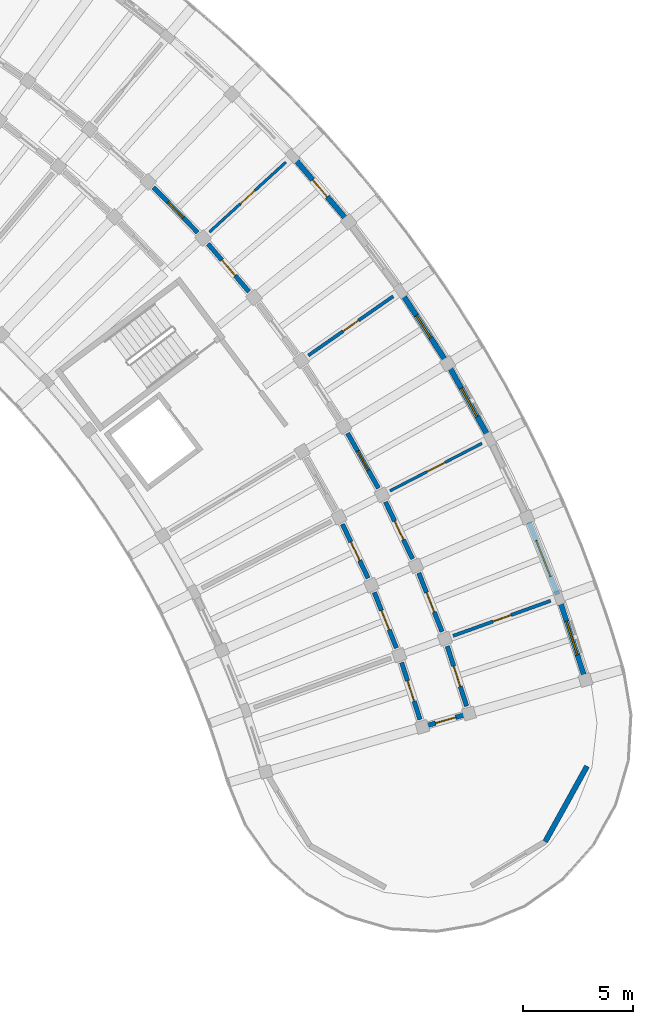
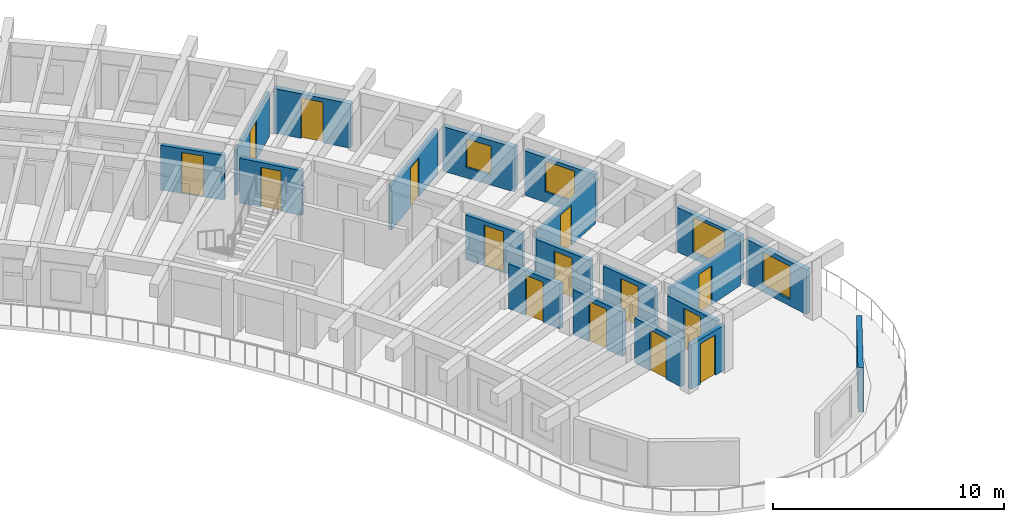
# One storey, part 44 of 69: 20 walls, 15 doors, 4 windows, 19 openings.
"""IFC4 building model written with IfcOpenShell, lengths in metres."""

from ifc_helpers import new_model, si_unit, direction, frame, frame_2d, origin, place, context, subcontext, project, spatial, rectangle, extrude, material, layer, layer_set, type_object, element, fill, save


model = new_model("IFC4")

# Units and contexts
model_context = context("Model", 3, precision=1e-05, world=origin(), true_north=direction((0.0, 1.0)))
body_context = subcontext(model_context, "Body", "Model", "MODEL_VIEW")
ifc_project = project(units=[si_unit("LENGTHUNIT", "METRE"), si_unit("AREAUNIT", "SQUARE_METRE"), si_unit("VOLUMEUNIT", "CUBIC_METRE"), si_unit("PLANEANGLEUNIT", "RADIAN"), si_unit("MASSUNIT", "GRAM", prefix="KILO")], contexts=[model_context])

# Site, building, storey
site_placement = place(None, origin())
site = spatial("IfcSite", under=ifc_project, at=site_placement, CompositionType="ELEMENT")
building_placement = place(site_placement, origin())
building = spatial("IfcBuilding", under=site, at=building_placement, Name="Tanwirah Colonnade Gardens", CompositionType="ELEMENT")
storey_placement = place(building_placement, frame((0.0, 0.0, 15.56005859375)))
storey = spatial("IfcBuildingStorey", under=building, at=storey_placement, Name="L04", CompositionType="ELEMENT", Elevation=15.56005859375)

# Wall, opening, window
ifc_material_1 = material(Name="Limestone architectural precast concrete C40/50", Category="masonry")
ifc_layer_1 = layer(ifc_material_1, 0.239990234375)
ifc_layer_set_1 = layer_set([ifc_layer_1], Name="Limestone architectural precast concrete C40/50")
wall_type_1 = type_object("IfcWallType", Name="EW-PC240", PredefinedType="SOLIDWALL", material=ifc_layer_set_1)
wall_1_placement = place(storey_placement, frame((178.16796875, 76.847412109375, 0.0), z_axis=(0.0, 0.0, 1.0), x_axis=(-0.30720538788, 0.951643236543, 0.0)))
wall_1 = element("IfcWall", 1, at=wall_1_placement, inside=storey, type_object=wall_type_1, Name="Block B L04 OUT Precast Facade Wall 0", PredefinedType="SOLIDWALL", context=body_context, shape_type="SweptSolid", body=[
    extrude(rectangle(XDim=3.5205078125, YDim=0.239990234375, at=frame_2d((1.76025390625, 0.0))), origin(), (0.0, 0.0, 1.0), 2.35498046875),
])
opening_1_placement = place(wall_1_placement, frame((0.96044921875, 0.0, 0.35009765625)))
opening_1 = element("IfcOpeningElement", 2, at=opening_1_placement, cuts=wall_1, Name="Opening WIN-T10", PredefinedType="OPENING", context=body_context, shape_type="SweptSolid", body=[
    extrude(rectangle(XDim=1.60009765625, YDim=1.75, at=frame_2d((0.800048828125, 0.875))), frame((0.0, 0.1298828125, 0.0), z_axis=(0.0, -1.0, 0.0), x_axis=(1.0, 0.0, 0.0)), (0.0, 0.0, 1.0), 0.260009765625),
])
ifc_material_2 = material(Name="Thermally broken bronze aluminium and solar low-E double glazing", Category="aluminium")
window_type_1 = type_object("IfcWindowType", Name="WIN-T10", PartitioningType="DOUBLE_PANEL_VERTICAL", PredefinedType="WINDOW", material=ifc_material_2)
window_1_placement = place(opening_1_placement, origin())
window_1 = element("IfcWindow", 3, at=window_1_placement, inside=storey, type_object=window_type_1, Name="Facade window B-L04-OUT-00", OverallHeight=1.75, OverallWidth=1.60009765625, PartitioningType="SINGLE_PANEL", PredefinedType="WINDOW", context=body_context, shape_type="SweptSolid", body=[
    extrude(rectangle(XDim=1.60009765625, YDim=1.75, at=frame_2d((0.800048828125, 0.875))), frame((0.0, 0.030029296875, 0.0), z_axis=(0.0, -1.0, 0.0), x_axis=(1.0, 0.0, 0.0)), (0.0, 0.0, 1.0), 0.06005859375),
])
fill(opening_1, window_1)

wall_2_placement = place(storey_placement, frame((176.978271484375, 80.498779296875, 0.0), z_axis=(0.0, 0.0, 1.0), x_axis=(-0.369249632056, 0.929330247666, 0.0)))
wall_2 = element("IfcWall", 4, at=wall_2_placement, inside=storey, type_object=wall_type_1, Name="Block B L04 OUT Precast Facade Wall 1", PredefinedType="SOLIDWALL", context=body_context, shape_type="SweptSolid", body=[
    extrude(rectangle(XDim=3.520751953125, YDim=0.239990234375, at=frame_2d((1.76025390625, 0.0))), origin(), (0.0, 0.0, 1.0), 2.35498046875),
])
opening_2_placement = place(wall_2_placement, frame((0.88525390625, 0.0, 0.35009765625)))
opening_2 = element("IfcOpeningElement", 5, at=opening_2_placement, cuts=wall_2, Name="Opening WIN-T13", PredefinedType="OPENING", context=body_context, shape_type="SweptSolid", body=[
    extrude(rectangle(XDim=1.75, YDim=1.85009765625, at=frame_2d((0.875, 0.925048828125))), frame((0.0, 0.1298828125, 0.0), z_axis=(0.0, -1.0, 0.0), x_axis=(1.0, 0.0, 0.0)), (0.0, 0.0, 1.0), 0.260009765625),
])
window_type_2 = type_object("IfcWindowType", Name="WIN-T13", PartitioningType="TRIPLE_PANEL_VERTICAL", PredefinedType="WINDOW", material=ifc_material_2)
window_2_placement = place(opening_2_placement, origin())
window_2 = element("IfcWindow", 6, at=window_2_placement, inside=storey, type_object=window_type_2, Name="Facade window B-L04-OUT-01", OverallHeight=1.85009765625, OverallWidth=1.75, PartitioningType="SINGLE_PANEL", PredefinedType="WINDOW", context=body_context, shape_type="SweptSolid", body=[
    extrude(rectangle(XDim=1.75, YDim=1.85009765625, at=frame_2d((0.875, 0.925048828125))), frame((0.0, 0.030029296875, 0.0), z_axis=(0.0, -1.0, 0.0), x_axis=(1.0, 0.0, 0.0)), (0.0, 0.0, 1.0), 0.06005859375),
])
fill(opening_2, window_2)

wall_3_placement = place(storey_placement, frame((173.8232421875, 87.68310546875, 0.0), z_axis=(0.0, 0.0, 1.0), x_axis=(-0.488254917997, 0.872701057093, 0.0)))
wall_3 = element("IfcWall", 7, at=wall_3_placement, inside=storey, type_object=wall_type_1, Name="Block B L04 OUT Precast Facade Wall 3", PredefinedType="SOLIDWALL", context=body_context, shape_type="SweptSolid", body=[
    extrude(rectangle(XDim=3.520751953125, YDim=0.239990234375, at=frame_2d((1.76025390625, 0.0))), origin(), (0.0, 0.0, 1.0), 2.35498046875),
])
opening_3_placement = place(wall_3_placement, frame((1.0205078125, 0.0, 0.550048828125)))
opening_3 = element("IfcOpeningElement", 8, at=opening_3_placement, cuts=wall_3, Name="Opening WIN-T19", PredefinedType="OPENING", context=body_context, shape_type="SweptSolid", body=[
    extrude(rectangle(XDim=1.47998046875, YDim=1.6201171875, at=frame_2d((0.739990234375, 0.81005859375))), frame((0.0, 0.1298828125, 0.0), z_axis=(0.0, -1.0, 0.0), x_axis=(1.0, 0.0, 0.0)), (0.0, 0.0, 1.0), 0.260009765625),
])
window_type_3 = type_object("IfcWindowType", Name="WIN-T19", PartitioningType="DOUBLE_PANEL_VERTICAL", PredefinedType="WINDOW", material=ifc_material_2)
window_3_placement = place(opening_3_placement, origin())
window_3 = element("IfcWindow", 9, at=window_3_placement, inside=storey, type_object=window_type_3, Name="Facade window B-L04-OUT-03", OverallHeight=1.6201171875, OverallWidth=1.47998046875, PartitioningType="SINGLE_PANEL", PredefinedType="WINDOW", context=body_context, shape_type="SweptSolid", body=[
    extrude(rectangle(XDim=1.47998046875, YDim=1.6201171875, at=frame_2d((0.739990234375, 0.81005859375))), frame((0.0, 0.030029296875, 0.0), z_axis=(0.0, -1.0, 0.0), x_axis=(1.0, 0.0, 0.0)), (0.0, 0.0, 1.0), 0.06005859375),
])
fill(opening_3, window_3)

wall_4_placement = place(storey_placement, frame((171.851318359375, 91.1748046875, 0.0), z_axis=(0.0, 0.0, 1.0), x_axis=(-0.544610510414, 0.838689091349, 0.0)))
wall_4 = element("IfcWall", 10, at=wall_4_placement, inside=storey, type_object=wall_type_1, Name="Block B L04 OUT Precast Facade Wall 4", PredefinedType="SOLIDWALL", context=body_context, shape_type="SweptSolid", body=[
    extrude(rectangle(XDim=3.520751953125, YDim=0.239990234375, at=frame_2d((1.76025390625, 0.0))), origin(), (0.0, 0.0, 1.0), 2.35498046875),
])
opening_4_placement = place(wall_4_placement, frame((1.160400390625, 0.0, 0.550048828125)))
opening_4 = element("IfcOpeningElement", 11, at=opening_4_placement, cuts=wall_4, Name="Opening WIN-U02", PredefinedType="OPENING", context=body_context, shape_type="SweptSolid", body=[
    extrude(rectangle(XDim=1.199951171875, YDim=1.510009765625, at=frame_2d((0.60009765625, 0.7548828125))), frame((0.0, 0.1298828125, 0.0), z_axis=(0.0, -1.0, 0.0), x_axis=(1.0, 0.0, 0.0)), (0.0, 0.0, 1.0), 0.260009765625),
])
window_type_4 = type_object("IfcWindowType", Name="WIN-U02", PartitioningType="DOUBLE_PANEL_VERTICAL", PredefinedType="WINDOW", material=ifc_material_2)
window_4_placement = place(opening_4_placement, origin())
window_4 = element("IfcWindow", 12, at=window_4_placement, inside=storey, type_object=window_type_4, Name="Facade window B-L04-OUT-04", OverallHeight=1.510009765625, OverallWidth=1.199951171875, PartitioningType="SINGLE_PANEL", PredefinedType="WINDOW", context=body_context, shape_type="SweptSolid", body=[
    extrude(rectangle(XDim=1.199951171875, YDim=1.510009765625, at=frame_2d((0.60009765625, 0.7548828125))), frame((0.0, 0.030029296875, 0.0), z_axis=(0.0, -1.0, 0.0), x_axis=(1.0, 0.0, 0.0)), (0.0, 0.0, 1.0), 0.06005859375),
])
fill(opening_4, window_4)

# Wall, opening, door
wall_5_placement = place(storey_placement, frame((167.3369140625, 97.59228515625, 0.0), z_axis=(0.0, 0.0, 1.0), x_axis=(-0.65016298181, 0.759794773004, 0.0)))
wall_5 = element("IfcWall", 13, at=wall_5_placement, inside=storey, type_object=wall_type_1, Name="Block B L04 OUT Precast Facade Wall 6", PredefinedType="SOLIDWALL", context=body_context, shape_type="SweptSolid", body=[
    extrude(rectangle(XDim=3.520751953125, YDim=0.239990234375, at=frame_2d((1.76025390625, 0.0))), origin(), (0.0, 0.0, 1.0), 2.35498046875),
])
opening_5_placement = place(wall_5_placement, frame((1.25048828125, 0.0, 0.0)))
opening_5 = element("IfcOpeningElement", 14, at=opening_5_placement, cuts=wall_5, Name="Opening L04-ED086", PredefinedType="OPENING", context=body_context, shape_type="SweptSolid", body=[
    extrude(rectangle(XDim=1.02001953125, YDim=2.139892578125, at=frame_2d((0.510009765625, 1.06982421875))), frame((0.0, 0.1298828125, 0.0), z_axis=(0.0, -1.0, 0.0), x_axis=(1.0, 0.0, 0.0)), (0.0, 0.0, 1.0), 0.260009765625),
])
ifc_material_3 = material(Name="Bronze aluminium glazed balcony door", Category="aluminium")
door_type_1 = type_object("IfcDoorType", Name="ED-BAL102", OperationType="NOTDEFINED", PredefinedType="DOOR", material=ifc_material_3)
door_1_placement = place(opening_5_placement, origin())
door_1 = element("IfcDoor", 15, at=door_1_placement, inside=storey, type_object=door_type_1, Name="Balcony glazed door L04-ED086", OperationType="SINGLE_SWING_LEFT", OverallHeight=2.139892578125, OverallWidth=1.02001953125, PredefinedType="DOOR", context=body_context, shape_type="SweptSolid", body=[
    extrude(rectangle(XDim=1.02001953125, YDim=2.139892578125, at=frame_2d((0.510009765625, 1.06982421875))), frame((0.0, 0.02490234375, 0.0), z_axis=(0.0, -1.0, 0.0), x_axis=(1.0, 0.0, 0.0)), (0.0, 0.0, 1.0), 0.050048828125),
])
fill(opening_5, door_1)

# Wall
wall_6_placement = place(storey_placement, frame((178.311279296875, 72.70654296875, 0.0), z_axis=(0.0, 0.0, 1.0), x_axis=(-0.484841794757, -0.874601871743, 0.0)))
element("IfcWall", 16, at=wall_6_placement, inside=storey, type_object=wall_type_1, Name="Block B L04 START Rounded End Wall 1", PredefinedType="SOLIDWALL", context=body_context, shape_type="SweptSolid", body=[
    extrude(rectangle(XDim=3.907958984375, YDim=0.239990234375, at=frame_2d((1.9541015625, 0.0))), origin(), (0.0, 0.0, 1.0), 2.35498046875),
])

# Wall, opening, door
ifc_material_4 = material(Name="Precast concrete C40/50", Category="concrete")
ifc_layer_2 = layer(ifc_material_4, 0.205078125)
ifc_layer_set_2 = layer_set([ifc_layer_2], Name="Precast concrete C40/50")
wall_type_2 = type_object("IfcWallType", Name="IW-CORR205", PredefinedType="PARTITIONING", material=ifc_layer_set_2)
wall_7_placement = place(storey_placement, frame((172.8486328125, 75.431396484375, 0.0), z_axis=(0.0, 0.0, 1.0), x_axis=(-0.307157249761, 0.951658774939, 0.0)))
wall_7 = element("IfcWall", 17, at=wall_7_placement, inside=storey, type_object=wall_type_2, Name="Block B L04 OUT Corridor Wall 0", PredefinedType="PARTITIONING", context=body_context, shape_type="SweptSolid", body=[
    extrude(rectangle(XDim=2.863037109375, YDim=0.205078125, at=frame_2d((1.431640625, 0.0))), origin(), (0.0, 0.0, 1.0), 2.369873046875),
])
opening_6_placement = place(wall_7_placement, frame((0.946533203125, 0.0, 0.0)))
opening_6 = element("IfcOpeningElement", 18, at=opening_6_placement, cuts=wall_7, Name="Opening L04-AD960", PredefinedType="OPENING", context=body_context, shape_type="SweptSolid", body=[
    extrude(rectangle(XDim=0.969970703125, YDim=2.14990234375, at=frame_2d((0.48486328125, 1.074951171875))), frame((0.0, 0.112548828125, 0.0), z_axis=(0.0, -1.0, 0.0), x_axis=(1.0, 0.0, 0.0)), (0.0, 0.0, 1.0), 0.22509765625),
])
ifc_material_5 = material(Name="Solid oak fire-resisting apartment entrance door")
door_type_2 = type_object("IfcDoorType", Name="ID-FLT097", OperationType="NOTDEFINED", PredefinedType="DOOR", material=ifc_material_5)
door_2_placement = place(opening_6_placement, origin())
door_2 = element("IfcDoor", 19, at=door_2_placement, inside=storey, type_object=door_type_2, Name="Apartment corridor door L04-AD960", OperationType="SINGLE_SWING_LEFT", OverallHeight=2.14990234375, OverallWidth=0.969970703125, PredefinedType="DOOR", context=body_context, shape_type="SweptSolid", body=[
    extrude(rectangle(XDim=0.969970703125, YDim=2.14990234375, at=frame_2d((0.48486328125, 1.074951171875))), frame((0.0, 0.02490234375, 0.0), z_axis=(0.0, -1.0, 0.0), x_axis=(1.0, 0.0, 0.0)), (0.0, 0.0, 1.0), 0.050048828125),
])
fill(opening_6, door_2)

wall_8_placement = place(storey_placement, frame((170.73388671875, 74.824951171875, 0.0), z_axis=(0.0, 0.0, 1.0), x_axis=(-0.307186478934, 0.95164934044, 0.0)))
wall_8 = element("IfcWall", 20, at=wall_8_placement, inside=storey, type_object=wall_type_2, Name="Block B L04 IN Corridor Wall 0", PredefinedType="PARTITIONING", context=body_context, shape_type="SweptSolid", body=[
    extrude(rectangle(XDim=2.718017578125, YDim=0.205078125, at=frame_2d((1.35888671875, 0.0))), origin(), (0.0, 0.0, 1.0), 2.369873046875),
])
opening_7_placement = place(wall_8_placement, frame((0.8740234375, 0.0, 0.0)))
opening_7 = element("IfcOpeningElement", 21, at=opening_7_placement, cuts=wall_8, Name="Opening L04-AD961", PredefinedType="OPENING", context=body_context, shape_type="SweptSolid", body=[
    extrude(rectangle(XDim=0.969970703125, YDim=2.14990234375, at=frame_2d((0.48486328125, 1.074951171875))), frame((0.0, 0.112548828125, 0.0), z_axis=(0.0, -1.0, 0.0), x_axis=(1.0, 0.0, 0.0)), (0.0, 0.0, 1.0), 0.22509765625),
])
door_3_placement = place(opening_7_placement, origin())
door_3 = element("IfcDoor", 22, at=door_3_placement, inside=storey, type_object=door_type_2, Name="Apartment corridor door L04-AD961", OperationType="SINGLE_SWING_RIGHT", OverallHeight=2.14990234375, OverallWidth=0.969970703125, PredefinedType="DOOR", context=body_context, shape_type="SweptSolid", body=[
    extrude(rectangle(XDim=0.969970703125, YDim=2.14990234375, at=frame_2d((0.48486328125, 1.074951171875))), frame((0.0, 0.02490234375, 0.0), z_axis=(0.0, -1.0, 0.0), x_axis=(1.0, 0.0, 0.0)), (0.0, 0.0, 1.0), 0.050048828125),
])
fill(opening_7, door_3)

wall_9_placement = place(storey_placement, frame((171.732421875, 78.814208984375, 0.0), z_axis=(0.0, 0.0, 1.0), x_axis=(-0.369213832442, 0.929344471083, 0.0)))
wall_9 = element("IfcWall", 23, at=wall_9_placement, inside=storey, type_object=wall_type_2, Name="Block B L04 OUT Corridor Wall 1", PredefinedType="PARTITIONING", context=body_context, shape_type="SweptSolid", body=[
    extrude(rectangle(XDim=2.86328125, YDim=0.205078125, at=frame_2d((1.431640625, 0.0))), origin(), (0.0, 0.0, 1.0), 2.369873046875),
])
opening_8_placement = place(wall_9_placement, frame((0.95654296875, 0.0, 0.0)))
opening_8 = element("IfcOpeningElement", 24, at=opening_8_placement, cuts=wall_9, Name="Opening L04-AD963", PredefinedType="OPENING", context=body_context, shape_type="SweptSolid", body=[
    extrude(rectangle(XDim=0.949951171875, YDim=2.1298828125, at=frame_2d((0.47509765625, 1.06494140625))), frame((0.0, 0.112548828125, 0.0), z_axis=(0.0, -1.0, 0.0), x_axis=(1.0, 0.0, 0.0)), (0.0, 0.0, 1.0), 0.22509765625),
])
door_type_3 = type_object("IfcDoorType", Name="ID-FLT095", OperationType="NOTDEFINED", PredefinedType="DOOR", material=ifc_material_5)
door_4_placement = place(opening_8_placement, origin())
door_4 = element("IfcDoor", 25, at=door_4_placement, inside=storey, type_object=door_type_3, Name="Apartment corridor door L04-AD963", OperationType="SINGLE_SWING_RIGHT", OverallHeight=2.1298828125, OverallWidth=0.949951171875, PredefinedType="DOOR", context=body_context, shape_type="SweptSolid", body=[
    extrude(rectangle(XDim=0.949951171875, YDim=2.1298828125, at=frame_2d((0.47509765625, 1.06494140625))), frame((0.0, 0.02490234375, 0.0), z_axis=(0.0, -1.0, 0.0), x_axis=(1.0, 0.0, 0.0)), (0.0, 0.0, 1.0), 0.050048828125),
])
fill(opening_8, door_4)

wall_10_placement = place(storey_placement, frame((169.662353515625, 78.06982421875, 0.0), z_axis=(0.0, 0.0, 1.0), x_axis=(-0.369237170461, 0.929335198919, 0.0)))
wall_10 = element("IfcWall", 26, at=wall_10_placement, inside=storey, type_object=wall_type_2, Name="Block B L04 IN Corridor Wall 1", PredefinedType="PARTITIONING", context=body_context, shape_type="SweptSolid", body=[
    extrude(rectangle(XDim=2.71826171875, YDim=0.205078125, at=frame_2d((1.359130859375, 0.0))), origin(), (0.0, 0.0, 1.0), 2.369873046875),
])
opening_9_placement = place(wall_10_placement, frame((0.884033203125, 0.0, 0.0)))
opening_9 = element("IfcOpeningElement", 27, at=opening_9_placement, cuts=wall_10, Name="Opening L04-AD964", PredefinedType="OPENING", context=body_context, shape_type="SweptSolid", body=[
    extrude(rectangle(XDim=0.949951171875, YDim=2.1298828125, at=frame_2d((0.47509765625, 1.06494140625))), frame((0.0, 0.112548828125, 0.0), z_axis=(0.0, -1.0, 0.0), x_axis=(1.0, 0.0, 0.0)), (0.0, 0.0, 1.0), 0.22509765625),
])
door_5_placement = place(opening_9_placement, origin())
door_5 = element("IfcDoor", 28, at=door_5_placement, inside=storey, type_object=door_type_3, Name="Apartment corridor door L04-AD964", OperationType="SINGLE_SWING_LEFT", OverallHeight=2.1298828125, OverallWidth=0.949951171875, PredefinedType="DOOR", context=body_context, shape_type="SweptSolid", body=[
    extrude(rectangle(XDim=0.949951171875, YDim=2.1298828125, at=frame_2d((0.47509765625, 1.06494140625))), frame((0.0, 0.02490234375, 0.0), z_axis=(0.0, -1.0, 0.0), x_axis=(1.0, 0.0, 0.0)), (0.0, 0.0, 1.0), 0.050048828125),
])
fill(opening_9, door_5)

wall_11_placement = place(storey_placement, frame((170.395751953125, 82.116455078125, 0.0), z_axis=(0.0, 0.0, 1.0), x_axis=(-0.429595933416, 0.90302122566, 0.0)))
wall_11 = element("IfcWall", 29, at=wall_11_placement, inside=storey, type_object=wall_type_2, Name="Block B L04 OUT Corridor Wall 2", PredefinedType="PARTITIONING", context=body_context, shape_type="SweptSolid", body=[
    extrude(rectangle(XDim=2.863037109375, YDim=0.205078125, at=frame_2d((1.431640625, 0.0))), origin(), (0.0, 0.0, 1.0), 2.369873046875),
])
opening_10_placement = place(wall_11_placement, frame((0.966552734375, 0.0, 0.0)))
opening_10 = element("IfcOpeningElement", 30, at=opening_10_placement, cuts=wall_11, Name="Opening L04-AD965", PredefinedType="OPENING", context=body_context, shape_type="SweptSolid", body=[
    extrude(rectangle(XDim=0.929931640625, YDim=2.1201171875, at=frame_2d((0.46484375, 1.06005859375))), frame((0.0, 0.112548828125, 0.0), z_axis=(0.0, -1.0, 0.0), x_axis=(1.0, 0.0, 0.0)), (0.0, 0.0, 1.0), 0.22509765625),
])
door_type_4 = type_object("IfcDoorType", Name="ID-FLT093", OperationType="NOTDEFINED", PredefinedType="DOOR", material=ifc_material_5)
door_6_placement = place(opening_10_placement, origin())
door_6 = element("IfcDoor", 31, at=door_6_placement, inside=storey, type_object=door_type_4, Name="Apartment corridor door L04-AD965", OperationType="SINGLE_SWING_LEFT", OverallHeight=2.1201171875, OverallWidth=0.929931640625, PredefinedType="DOOR", context=body_context, shape_type="SweptSolid", body=[
    extrude(rectangle(XDim=0.929931640625, YDim=2.1201171875, at=frame_2d((0.46484375, 1.06005859375))), frame((0.0, 0.02490234375, 0.0), z_axis=(0.0, -1.0, 0.0), x_axis=(1.0, 0.0, 0.0)), (0.0, 0.0, 1.0), 0.050048828125),
])
fill(opening_10, door_6)

wall_12_placement = place(storey_placement, frame((168.379150390625, 81.2373046875, 0.0), z_axis=(0.0, 0.0, 1.0), x_axis=(-0.429630211913, 0.90300491749, 0.0)))
wall_12 = element("IfcWall", 32, at=wall_12_placement, inside=storey, type_object=wall_type_2, Name="Block B L04 IN Corridor Wall 2", PredefinedType="PARTITIONING", context=body_context, shape_type="SweptSolid", body=[
    extrude(rectangle(XDim=2.718017578125, YDim=0.205078125, at=frame_2d((1.35888671875, 0.0))), origin(), (0.0, 0.0, 1.0), 2.369873046875),
])
opening_11_placement = place(wall_12_placement, frame((0.89404296875, 0.0, 0.0)))
opening_11 = element("IfcOpeningElement", 33, at=opening_11_placement, cuts=wall_12, Name="Opening L04-AD966", PredefinedType="OPENING", context=body_context, shape_type="SweptSolid", body=[
    extrude(rectangle(XDim=0.929931640625, YDim=2.1201171875, at=frame_2d((0.46484375, 1.06005859375))), frame((0.0, 0.112548828125, 0.0), z_axis=(0.0, -1.0, 0.0), x_axis=(1.0, 0.0, 0.0)), (0.0, 0.0, 1.0), 0.22509765625),
])
door_7_placement = place(opening_11_placement, origin())
door_7 = element("IfcDoor", 34, at=door_7_placement, inside=storey, type_object=door_type_4, Name="Apartment corridor door L04-AD966", OperationType="SINGLE_SWING_RIGHT", OverallHeight=2.1201171875, OverallWidth=0.929931640625, PredefinedType="DOOR", context=body_context, shape_type="SweptSolid", body=[
    extrude(rectangle(XDim=0.929931640625, YDim=2.1201171875, at=frame_2d((0.46484375, 1.06005859375))), frame((0.0, 0.02490234375, 0.0), z_axis=(0.0, -1.0, 0.0), x_axis=(1.0, 0.0, 0.0)), (0.0, 0.0, 1.0), 0.050048828125),
])
fill(opening_11, door_7)

wall_13_placement = place(storey_placement, frame((168.844482421875, 85.323486328125, 0.0), z_axis=(0.0, 0.0, 1.0), x_axis=(-0.48817487918, 0.872745832037, 0.0)))
wall_13 = element("IfcWall", 35, at=wall_13_placement, inside=storey, type_object=wall_type_2, Name="Block B L04 OUT Corridor Wall 3", PredefinedType="PARTITIONING", context=body_context, shape_type="SweptSolid", body=[
    extrude(rectangle(XDim=2.863037109375, YDim=0.205078125, at=frame_2d((1.431640625, 0.0))), origin(), (0.0, 0.0, 1.0), 2.369873046875),
])
opening_12_placement = place(wall_13_placement, frame((0.9365234375, 0.0, 0.0)))
opening_12 = element("IfcOpeningElement", 36, at=opening_12_placement, cuts=wall_13, Name="Opening L04-AD968", PredefinedType="OPENING", context=body_context, shape_type="SweptSolid", body=[
    extrude(rectangle(XDim=0.989990234375, YDim=2.159912109375, at=frame_2d((0.4951171875, 1.080078125))), frame((0.0, 0.112548828125, 0.0), z_axis=(0.0, -1.0, 0.0), x_axis=(1.0, 0.0, 0.0)), (0.0, 0.0, 1.0), 0.22509765625),
])
door_type_5 = type_object("IfcDoorType", Name="ID-FLT099", OperationType="NOTDEFINED", PredefinedType="DOOR", material=ifc_material_5)
door_8_placement = place(opening_12_placement, origin())
door_8 = element("IfcDoor", 37, at=door_8_placement, inside=storey, type_object=door_type_5, Name="Apartment corridor door L04-AD968", OperationType="SINGLE_SWING_RIGHT", OverallHeight=2.159912109375, OverallWidth=0.989990234375, PredefinedType="DOOR", context=body_context, shape_type="SweptSolid", body=[
    extrude(rectangle(XDim=0.989990234375, YDim=2.159912109375, at=frame_2d((0.4951171875, 1.080078125))), frame((0.0, 0.02490234375, 0.0), z_axis=(0.0, -1.0, 0.0), x_axis=(1.0, 0.0, 0.0)), (0.0, 0.0, 1.0), 0.050048828125),
])
fill(opening_12, door_8)

wall_14_placement = place(storey_placement, frame((162.974365234375, 94.23583984375, 0.0), z_axis=(0.0, 0.0, 1.0), x_axis=(-0.650194272684, 0.759767996015, 0.0)))
wall_14 = element("IfcWall", 38, at=wall_14_placement, inside=storey, type_object=wall_type_2, Name="Block B L04 OUT Corridor Wall 6", PredefinedType="PARTITIONING", context=body_context, shape_type="SweptSolid", body=[
    extrude(rectangle(XDim=2.863037109375, YDim=0.205078125, at=frame_2d((1.431640625, 0.0))), origin(), (0.0, 0.0, 1.0), 2.369873046875),
])
opening_13_placement = place(wall_14_placement, frame((0.966552734375, 0.0, 0.0)))
opening_13 = element("IfcOpeningElement", 39, at=opening_13_placement, cuts=wall_14, Name="Opening L04-AD974", PredefinedType="OPENING", context=body_context, shape_type="SweptSolid", body=[
    extrude(rectangle(XDim=0.929931640625, YDim=2.1201171875, at=frame_2d((0.46484375, 1.06005859375))), frame((0.0, 0.112548828125, 0.0), z_axis=(0.0, -1.0, 0.0), x_axis=(1.0, 0.0, 0.0)), (0.0, 0.0, 1.0), 0.22509765625),
])
door_9_placement = place(opening_13_placement, origin())
door_9 = element("IfcDoor", 40, at=door_9_placement, inside=storey, type_object=door_type_4, Name="Apartment corridor door L04-AD974", OperationType="SINGLE_SWING_LEFT", OverallHeight=2.1201171875, OverallWidth=0.929931640625, PredefinedType="DOOR", context=body_context, shape_type="SweptSolid", body=[
    extrude(rectangle(XDim=0.929931640625, YDim=2.1201171875, at=frame_2d((0.46484375, 1.06005859375))), frame((0.0, 0.02490234375, 0.0), z_axis=(0.0, -1.0, 0.0), x_axis=(1.0, 0.0, 0.0)), (0.0, 0.0, 1.0), 0.050048828125),
])
fill(opening_13, door_9)

wall_15_placement = place(storey_placement, frame((160.640625, 96.92724609375, 0.0), z_axis=(0.0, 0.0, 1.0), x_axis=(-0.698787219683, 0.715329589496, 0.0)))
wall_15 = element("IfcWall", 41, at=wall_15_placement, inside=storey, type_object=wall_type_2, Name="Block B L04 OUT Corridor Wall 7", PredefinedType="PARTITIONING", context=body_context, shape_type="SweptSolid", body=[
    extrude(rectangle(XDim=2.863037109375, YDim=0.205078125, at=frame_2d((1.431640625, 0.0))), origin(), (0.0, 0.0, 1.0), 2.369873046875),
])
opening_14_placement = place(wall_15_placement, frame((0.9365234375, 0.0, 0.0)))
opening_14 = element("IfcOpeningElement", 42, at=opening_14_placement, cuts=wall_15, Name="Opening L04-AD976", PredefinedType="OPENING", context=body_context, shape_type="SweptSolid", body=[
    extrude(rectangle(XDim=0.989990234375, YDim=2.159912109375, at=frame_2d((0.4951171875, 1.080078125))), frame((0.0, 0.112548828125, 0.0), z_axis=(0.0, -1.0, 0.0), x_axis=(1.0, 0.0, 0.0)), (0.0, 0.0, 1.0), 0.22509765625),
])
door_10_placement = place(opening_14_placement, origin())
door_10 = element("IfcDoor", 43, at=door_10_placement, inside=storey, type_object=door_type_5, Name="Apartment corridor door L04-AD976", OperationType="SINGLE_SWING_RIGHT", OverallHeight=2.159912109375, OverallWidth=0.989990234375, PredefinedType="DOOR", context=body_context, shape_type="SweptSolid", body=[
    extrude(rectangle(XDim=0.989990234375, YDim=2.159912109375, at=frame_2d((0.4951171875, 1.080078125))), frame((0.0, 0.02490234375, 0.0), z_axis=(0.0, -1.0, 0.0), x_axis=(1.0, 0.0, 0.0)), (0.0, 0.0, 1.0), 0.050048828125),
])
fill(opening_14, door_10)

wall_16_placement = place(storey_placement, frame((170.889404296875, 74.505615234375, 0.0), z_axis=(0.0, 0.0, 1.0), x_axis=(0.961264701934, 0.275626872449, 0.0)))
wall_16 = element("IfcWall", 44, at=wall_16_placement, inside=storey, type_object=wall_type_2, Name="Block B L04 CS Corner Suite Corridor Wall", PredefinedType="PARTITIONING", context=body_context, shape_type="SweptSolid", body=[
    extrude(rectangle(XDim=2.10009765625, YDim=0.205078125, at=frame_2d((1.050048828125, 0.0))), origin(), (0.0, 0.0, 1.0), 2.369873046875),
])
opening_15_placement = place(wall_16_placement, frame((0.570068359375, 0.0, 0.0)))
opening_15 = element("IfcOpeningElement", 45, at=opening_15_placement, cuts=wall_16, Name="Opening L04-CD1000", PredefinedType="OPENING", context=body_context, shape_type="SweptSolid", body=[
    extrude(rectangle(XDim=0.949951171875, YDim=2.1298828125, at=frame_2d((0.47509765625, 1.06494140625))), frame((0.0, 0.112548828125, 0.0), z_axis=(0.0, -1.0, 0.0), x_axis=(1.0, 0.0, 0.0)), (0.0, 0.0, 1.0), 0.22509765625),
])
door_11_placement = place(opening_15_placement, origin())
door_11 = element("IfcDoor", 46, at=door_11_placement, inside=storey, type_object=door_type_3, Name="Corner suite entrance door L04-CD1000", OperationType="SINGLE_SWING_LEFT", OverallHeight=2.1298828125, OverallWidth=0.949951171875, PredefinedType="DOOR", context=body_context, shape_type="SweptSolid", body=[
    extrude(rectangle(XDim=0.949951171875, YDim=2.1298828125, at=frame_2d((0.47509765625, 1.06494140625))), frame((0.0, 0.02490234375, 0.0), z_axis=(0.0, -1.0, 0.0), x_axis=(1.0, 0.0, 0.0)), (0.0, 0.0, 1.0), 0.050048828125),
])
fill(opening_15, door_11)

ifc_material_6 = material(Name="Moisture-resistant gypsum stud partition")
ifc_layer_3 = layer(ifc_material_6, 0.125)
ifc_layer_set_3 = layer_set([ifc_layer_3], Name="Moisture-resistant gypsum stud partition")
wall_type_3 = type_object("IfcWallType", Name="IW-INT125", PredefinedType="PARTITIONING", material=ifc_layer_set_3)
wall_17_placement = place(storey_placement, frame((169.37060546875, 85.20166015625, 0.0), z_axis=(0.0, 0.0, 1.0), x_axis=(0.88836305433, 0.459141681512, 0.0)))
wall_17 = element("IfcWall", 47, at=wall_17_placement, inside=storey, type_object=wall_type_3, Name="Block B L04 Radial Partition 2", PredefinedType="PARTITIONING", context=body_context, shape_type="SweptSolid", body=[
    extrude(rectangle(XDim=4.699951171875, YDim=0.125, at=frame_2d((2.35009765625, 0.0))), origin(), (0.0, 0.0, 1.0), 2.369873046875),
])
opening_16_placement = place(wall_17_placement, frame((1.89501953125, 0.0, 0.0)))
opening_16 = element("IfcOpeningElement", 48, at=opening_16_placement, cuts=wall_17, Name="Opening L04-RD967", PredefinedType="OPENING", context=body_context, shape_type="SweptSolid", body=[
    extrude(rectangle(XDim=0.909912109375, YDim=2.10009765625, at=frame_2d((0.455078125, 1.050048828125))), frame((0.0, 0.072509765625, 0.0), z_axis=(0.0, -1.0, 0.0), x_axis=(1.0, 0.0, 0.0)), (0.0, 0.0, 1.0), 0.14501953125),
])
ifc_material_7 = material(Name="Painted hardwood internal room door", Category="wood")
door_type_6 = type_object("IfcDoorType", Name="ID-RM091", OperationType="NOTDEFINED", PredefinedType="DOOR", material=ifc_material_7)
door_12_placement = place(opening_16_placement, origin())
door_12 = element("IfcDoor", 49, at=door_12_placement, inside=storey, type_object=door_type_6, Name="Internal apartment door L04-RD967", OperationType="SINGLE_SWING_LEFT", OverallHeight=2.10009765625, OverallWidth=0.909912109375, PredefinedType="DOOR", context=body_context, shape_type="SweptSolid", body=[
    extrude(rectangle(XDim=0.909912109375, YDim=2.10009765625, at=frame_2d((0.455078125, 1.050048828125))), frame((0.0, 0.02490234375, 0.0), z_axis=(0.0, -1.0, 0.0), x_axis=(1.0, 0.0, 0.0)), (0.0, 0.0, 1.0), 0.050048828125),
])
fill(opening_16, door_12)

wall_18_placement = place(storey_placement, frame((161.180419921875, 96.947021484375, 0.0), z_axis=(0.0, 0.0, 1.0), x_axis=(0.737934199263, 0.674872667663, 0.0)))
wall_18 = element("IfcWall", 50, at=wall_18_placement, inside=storey, type_object=wall_type_3, Name="Block B L04 Radial Partition 6", PredefinedType="PARTITIONING", context=body_context, shape_type="SweptSolid", body=[
    extrude(rectangle(XDim=4.699951171875, YDim=0.125, at=frame_2d((2.35009765625, 0.0))), origin(), (0.0, 0.0, 1.0), 2.369873046875),
])
opening_17_placement = place(wall_18_placement, frame((1.905029296875, 0.0, 0.0)))
opening_17 = element("IfcOpeningElement", 51, at=opening_17_placement, cuts=wall_18, Name="Opening L04-RD975", PredefinedType="OPENING", context=body_context, shape_type="SweptSolid", body=[
    extrude(rectangle(XDim=0.889892578125, YDim=2.10009765625, at=frame_2d((0.44482421875, 1.050048828125))), frame((0.0, 0.072509765625, 0.0), z_axis=(0.0, -1.0, 0.0), x_axis=(1.0, 0.0, 0.0)), (0.0, 0.0, 1.0), 0.14501953125),
])
ifc_material_8 = material(Name="Painted hardwood bedroom door", Category="wood")
door_type_7 = type_object("IfcDoorType", Name="ID-RM089", OperationType="NOTDEFINED", PredefinedType="DOOR", material=ifc_material_8)
door_13_placement = place(opening_17_placement, origin())
door_13 = element("IfcDoor", 52, at=door_13_placement, inside=storey, type_object=door_type_7, Name="Internal apartment door L04-RD975", OperationType="SINGLE_SWING_LEFT", OverallHeight=2.10009765625, OverallWidth=0.889892578125, PredefinedType="DOOR", context=body_context, shape_type="SweptSolid", body=[
    extrude(rectangle(XDim=0.889892578125, YDim=2.10009765625, at=frame_2d((0.44482421875, 1.050048828125))), frame((0.0, 0.02490234375, 0.0), z_axis=(0.0, -1.0, 0.0), x_axis=(1.0, 0.0, 0.0)), (0.0, 0.0, 1.0), 0.050048828125),
])
fill(opening_17, door_13)

ifc_material_9 = material(Name="Water-resistant acoustic plumbing partition")
ifc_layer_4 = layer(ifc_material_9, 0.14990234375)
ifc_layer_set_4 = layer_set([ifc_layer_4], Name="Water-resistant acoustic plumbing partition")
wall_type_4 = type_object("IfcWallType", Name="IW-WET150", PredefinedType="PLUMBINGWALL", material=ifc_layer_set_4)
wall_19_placement = place(storey_placement, frame((172.238037109375, 78.62451171875, 0.0), z_axis=(0.0, 0.0, 1.0), x_axis=(0.941015806044, 0.338362605463, 0.0)))
wall_19 = element("IfcWall", 53, at=wall_19_placement, inside=storey, type_object=wall_type_4, Name="Block B L04 Radial Partition 0", PredefinedType="PLUMBINGWALL", context=body_context, shape_type="SweptSolid", body=[
    extrude(rectangle(XDim=4.7001953125, YDim=0.14990234375, at=frame_2d((2.35009765625, 0.0))), origin(), (0.0, 0.0, 1.0), 2.369873046875),
])
opening_18_placement = place(wall_19_placement, frame((1.919921875, 0.0, 0.0)))
opening_18 = element("IfcOpeningElement", 54, at=opening_18_placement, cuts=wall_19, Name="Opening L04-RD962", PredefinedType="OPENING", context=body_context, shape_type="SweptSolid", body=[
    extrude(rectangle(XDim=0.860107421875, YDim=2.06005859375, at=frame_2d((0.43017578125, 1.030029296875))), frame((0.0, 0.0849609375, 0.0), z_axis=(0.0, -1.0, 0.0), x_axis=(1.0, 0.0, 0.0)), (0.0, 0.0, 1.0), 0.169921875),
])
ifc_material_10 = material(Name="Moisture-resistant bathroom door")
door_type_8 = type_object("IfcDoorType", Name="ID-WET086", OperationType="NOTDEFINED", PredefinedType="DOOR", material=ifc_material_10)
door_14_placement = place(opening_18_placement, origin())
door_14 = element("IfcDoor", 55, at=door_14_placement, inside=storey, type_object=door_type_8, Name="Internal apartment door L04-RD962", OperationType="SINGLE_SWING_LEFT", OverallHeight=2.06005859375, OverallWidth=0.860107421875, PredefinedType="DOOR", context=body_context, shape_type="SweptSolid", body=[
    extrude(rectangle(XDim=0.860107421875, YDim=2.06005859375, at=frame_2d((0.43017578125, 1.030029296875))), frame((0.0, 0.02490234375, 0.0), z_axis=(0.0, -1.0, 0.0), x_axis=(1.0, 0.0, 0.0)), (0.0, 0.0, 1.0), 0.050048828125),
])
fill(opening_18, door_14)

wall_20_placement = place(storey_placement, frame((165.663330078125, 91.3447265625, 0.0), z_axis=(0.0, 0.0, 1.0), x_axis=(0.820272617205, 0.571972755876, 0.0)))
wall_20 = element("IfcWall", 56, at=wall_20_placement, inside=storey, type_object=wall_type_4, Name="Block B L04 Radial Partition 4", PredefinedType="PLUMBINGWALL", context=body_context, shape_type="SweptSolid", body=[
    extrude(rectangle(XDim=4.699951171875, YDim=0.14990234375, at=frame_2d((2.35009765625, 0.0))), origin(), (0.0, 0.0, 1.0), 2.369873046875),
])
opening_19_placement = place(wall_20_placement, frame((1.919921875, 0.0, 0.0)))
opening_19 = element("IfcOpeningElement", 57, at=opening_19_placement, cuts=wall_20, Name="Opening L04-RD972", PredefinedType="OPENING", context=body_context, shape_type="SweptSolid", body=[
    extrude(rectangle(XDim=0.860107421875, YDim=2.06005859375, at=frame_2d((0.43017578125, 1.030029296875))), frame((0.0, 0.0849609375, 0.0), z_axis=(0.0, -1.0, 0.0), x_axis=(1.0, 0.0, 0.0)), (0.0, 0.0, 1.0), 0.169921875),
])
door_15_placement = place(opening_19_placement, origin())
door_15 = element("IfcDoor", 58, at=door_15_placement, inside=storey, type_object=door_type_8, Name="Internal apartment door L04-RD972", OperationType="SINGLE_SWING_LEFT", OverallHeight=2.06005859375, OverallWidth=0.860107421875, PredefinedType="DOOR", context=body_context, shape_type="SweptSolid", body=[
    extrude(rectangle(XDim=0.860107421875, YDim=2.06005859375, at=frame_2d((0.43017578125, 1.030029296875))), frame((0.0, 0.02490234375, 0.0), z_axis=(0.0, -1.0, 0.0), x_axis=(1.0, 0.0, 0.0)), (0.0, 0.0, 1.0), 0.050048828125),
])
fill(opening_19, door_15)

save(model, "model.ifc")
